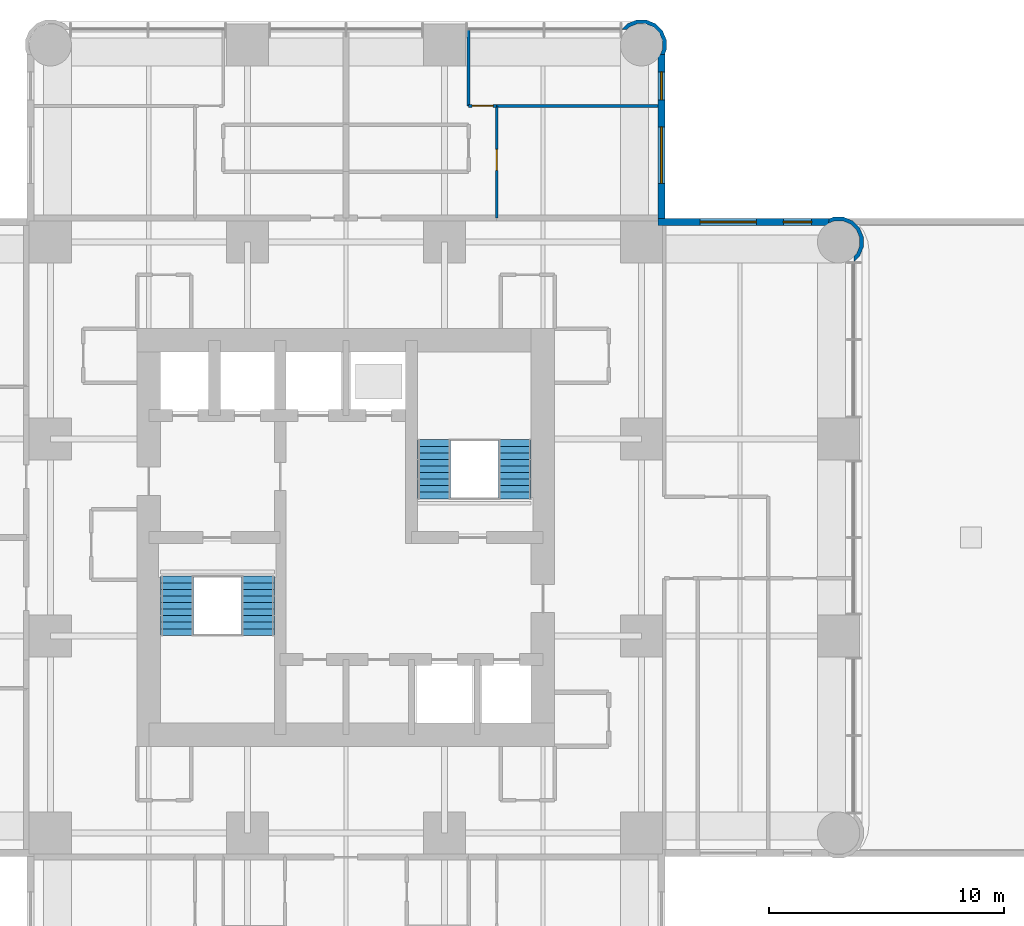
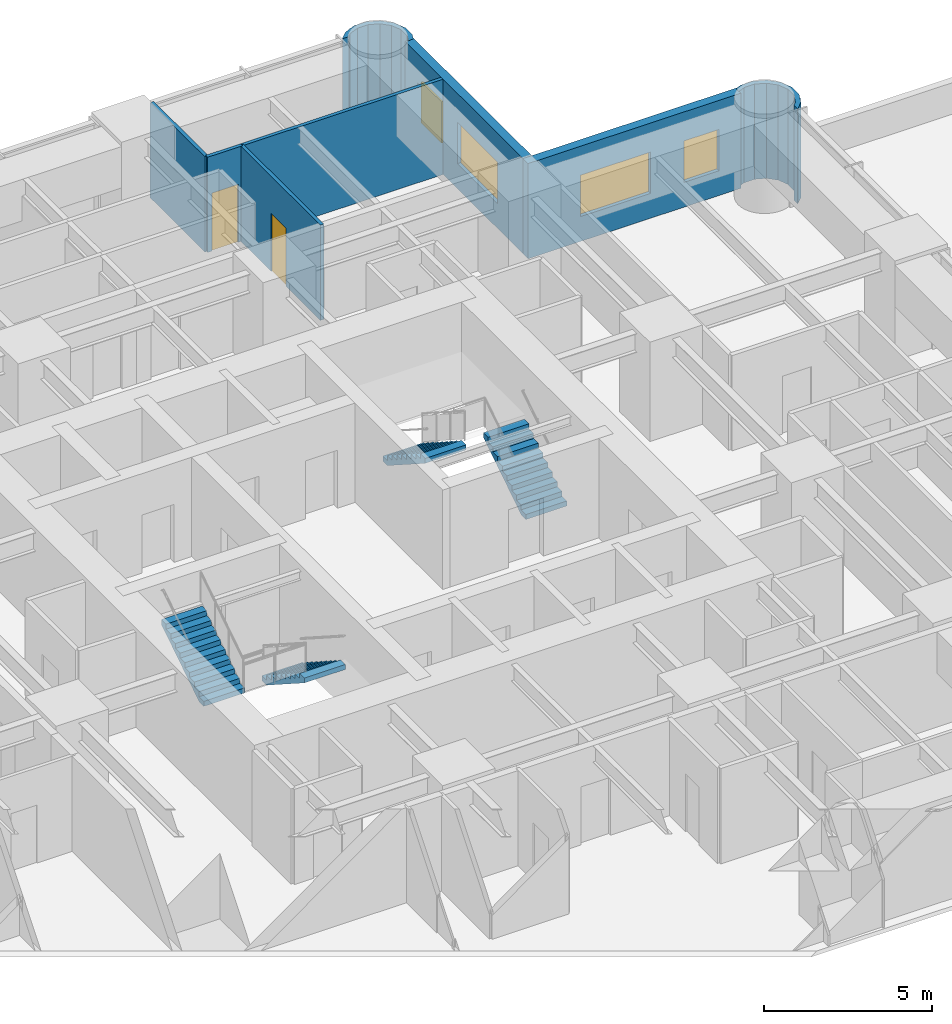
# One storey, part 10 of 12: 8 walls, 4 stair flights, 4 windows, 2 doors, 6 openings, 2 elements without a shape of their own.
"""IFC4 building model written with IfcOpenShell, lengths in metres."""

from ifc_helpers import new_model, si_unit, direction, frame, frame_2d, origin, place, context, subcontext, project, spatial, polyline, rectangle, outline, extrude, material, layer, layer_set, type_object, element, fill, aggregate, save


model = new_model("IFC4")

# Units and contexts
model_context = context("Model", 3, precision=1e-05, world=origin(), true_north=direction((0.0, 1.0)))
body_context = subcontext(model_context, "Body", "Model", "MODEL_VIEW")
ifc_project = project(units=[si_unit("LENGTHUNIT", "METRE"), si_unit("AREAUNIT", "SQUARE_METRE"), si_unit("VOLUMEUNIT", "CUBIC_METRE"), si_unit("PLANEANGLEUNIT", "RADIAN"), si_unit("MASSUNIT", "GRAM", prefix="KILO")], contexts=[model_context])

# Site, building, storey
site_placement = place(None, origin())
site = spatial("IfcSite", under=ifc_project, at=site_placement, CompositionType="ELEMENT")
building_placement = place(site_placement, origin())
building = spatial("IfcBuilding", under=site, at=building_placement, Name="Torre Alcanfor", CompositionType="ELEMENT")
storey_placement = place(building_placement, frame((0.0, 0.0, 183.300048828125)))
storey = spatial("IfcBuildingStorey", under=building, at=storey_placement, Name="L47", CompositionType="ELEMENT", Elevation=183.300048828125)

# Wall, opening, door
ifc_material_1 = material(Name="Gypsum board on steel studs", Category="steel")
ifc_layer_1 = layer(ifc_material_1, 0.1201171875)
ifc_layer_set_1 = layer_set([ifc_layer_1], Name="Apartment partition 120")
wall_type_1 = type_object("IfcWallType", Name="Apartment partition 120", PredefinedType="PARTITIONING", material=ifc_layer_set_1)
wall_1_placement = place(storey_placement, frame((35.8291015625, 47.800048828125, 0.0), z_axis=(0.0, 0.0, 1.0), x_axis=(0.0, -1.0, 0.0)))
wall_1 = element("IfcWall", 1, at=wall_1_placement, inside=storey, type_object=wall_type_1, Name="Partition L47-N2-LIVING / L47-N2-BED2", PredefinedType="PARTITIONING", context=body_context, shape_type="SweptSolid", body=[
    extrude(rectangle(XDim=4.775146484375, YDim=0.1201171875, at=frame_2d((2.3876953125, 0.0))), origin(), (0.0, 0.0, 1.0), 3.449951171875),
])
opening_1_placement = place(wall_1_placement, frame((1.85009765625, 0.0, 0.0)))
opening_1 = element("IfcOpeningElement", 2, at=opening_1_placement, cuts=wall_1, Name="Opening D-R1", PredefinedType="OPENING", context=body_context, shape_type="SweptSolid", body=[
    extrude(rectangle(XDim=0.89990234375, YDim=2.10009765625, at=frame_2d((0.449951171875, 1.050048828125))), frame((0.0, 0.070068359375, 0.0), z_axis=(0.0, -1.0, 0.0), x_axis=(1.0, 0.0, 0.0)), (0.0, 0.0, 1.0), 0.14013671875),
])
ifc_material_2 = material(Name="Timber", Category="wood")
door_type = type_object("IfcDoorType", Name="Internal door 900x2100", OperationType="SINGLE_SWING_LEFT", PredefinedType="DOOR", material=ifc_material_2)
door_1_placement = place(opening_1_placement, origin())
door_1 = element("IfcDoor", 3, at=door_1_placement, inside=storey, type_object=door_type, Name="Door L47-N2 bed2", OperationType="SINGLE_SWING_LEFT", OverallHeight=2.10009765625, OverallWidth=0.89990234375, PredefinedType="DOOR", context=body_context, shape_type="SweptSolid", body=[
    extrude(rectangle(XDim=0.89990234375, YDim=2.10009765625, at=frame_2d((0.449951171875, 1.050048828125))), frame((0.0, 0.02490234375, 0.0), z_axis=(0.0, -1.0, 0.0), x_axis=(1.0, 0.0, 0.0)), (0.0, 0.0, 1.0), 0.050048828125),
])
fill(opening_1, door_1)

# Wall
wall_2_placement = place(storey_placement, frame((34.62890625, 51.050048828125, 0.0), z_axis=(0.0, 0.0, 1.0), x_axis=(0.0, -1.0, 0.0)))
element("IfcWall", 4, at=wall_2_placement, inside=storey, type_object=wall_type_1, Name="Partition L47-N2-LIVING / L47-N2-MASTER", PredefinedType="PARTITIONING", context=body_context, shape_type="SweptSolid", body=[
    extrude(rectangle(XDim=3.25, YDim=0.1201171875, at=frame_2d((1.625, 0.0))), origin(), (0.0, 0.0, 1.0), 3.449951171875),
])

# Wall, opening, door
wall_3_placement = place(storey_placement, frame((34.62890625, 47.800048828125, 0.0), z_axis=(0.0, 0.0, 1.0), x_axis=(1.0, 0.0, 0.0)))
wall_3 = element("IfcWall", 5, at=wall_3_placement, inside=storey, type_object=wall_type_1, Name="Partition L47-N2-LIVING / L47-N2-MASTER", PredefinedType="PARTITIONING", context=body_context, shape_type="SweptSolid", body=[
    extrude(rectangle(XDim=1.2001953125, YDim=0.1201171875, at=frame_2d((0.60009765625, 0.0))), origin(), (0.0, 0.0, 1.0), 3.449951171875),
])
opening_2_placement = place(wall_3_placement, frame((0.15087890625, 0.0, 0.0)))
opening_2 = element("IfcOpeningElement", 6, at=opening_2_placement, cuts=wall_3, Name="Opening D-R1", PredefinedType="OPENING", context=body_context, shape_type="SweptSolid", body=[
    extrude(rectangle(XDim=0.89990234375, YDim=2.10009765625, at=frame_2d((0.449951171875, 1.050048828125))), frame((0.0, 0.070068359375, 0.0), z_axis=(0.0, -1.0, 0.0), x_axis=(1.0, 0.0, 0.0)), (0.0, 0.0, 1.0), 0.14013671875),
])
door_2_placement = place(opening_2_placement, origin())
door_2 = element("IfcDoor", 7, at=door_2_placement, inside=storey, type_object=door_type, Name="Door L47-N2 master", OperationType="SINGLE_SWING_LEFT", OverallHeight=2.10009765625, OverallWidth=0.89990234375, PredefinedType="DOOR", context=body_context, shape_type="SweptSolid", body=[
    extrude(rectangle(XDim=0.89990234375, YDim=2.10009765625, at=frame_2d((0.449951171875, 1.050048828125))), frame((0.0, 0.02490234375, 0.0), z_axis=(0.0, -1.0, 0.0), x_axis=(1.0, 0.0, 0.0)), (0.0, 0.0, 1.0), 0.050048828125),
])
fill(opening_2, door_2)

# Wall
wall_4_placement = place(storey_placement, frame((35.8291015625, 47.800048828125, 0.0), z_axis=(0.0, 0.0, 1.0), x_axis=(1.0, 0.0, 0.0)))
element("IfcWall", 8, at=wall_4_placement, inside=storey, type_object=wall_type_1, Name="Partition L47-N2-BED2 / L47-N2-MASTER", PredefinedType="PARTITIONING", context=body_context, shape_type="SweptSolid", body=[
    extrude(rectangle(XDim=6.870849609375, YDim=0.1201171875, at=frame_2d((3.435546875, 0.0))), origin(), (0.0, 0.0, 1.0), 3.449951171875),
])

# Wall, openings, windows
ifc_material_3 = material(Name="Limestone cladding", Category="masonry")
ifc_layer_2 = layer(ifc_material_3, 0.0400390625, Name="Facing")
ifc_material_4 = material(Name="Ventilated air cavity")
ifc_layer_3 = layer(ifc_material_4, 0.02001953125, ventilated=True, Name="Ventilated joint")
ifc_material_5 = material(Name="Mineral wool insulation", Category="insulation")
ifc_layer_4 = layer(ifc_material_5, 0.10009765625, Name="Insulation")
ifc_material_6 = material(Name="Concrete f'c 35 MPa", Category="concrete")
ifc_layer_5 = layer(ifc_material_6, 0.139892578125, Name="Backing")
ifc_layer_set_2 = layer_set([ifc_layer_2, ifc_layer_3, ifc_layer_4, ifc_layer_5], Name="External wall stone-clad 300")
wall_type_2 = type_object("IfcWallType", Name="External wall stone-clad 300", PredefinedType="SOLIDWALL", material=ifc_layer_set_2)
wall_5_placement = place(storey_placement, frame((50.0, 42.85009765625, 0.0), z_axis=(0.0, 0.0, 1.0), x_axis=(-1.0, 0.0, 0.0)))
wall_5 = element("IfcWall", 9, at=wall_5_placement, inside=storey, type_object=wall_type_2, Name="External wall L47 9", PredefinedType="SOLIDWALL", context=body_context, shape_type="SweptSolid", body=[
    extrude(rectangle(XDim=7.300048828125, YDim=0.300048828125, at=frame_2d((3.64990234375, 0.0))), origin(), (0.0, 0.0, 1.0), 3.449951171875),
])
opening_3_placement = place(wall_5_placement, frame((3.10009765625, 0.0, 0.89990234375)))
opening_3 = element("IfcOpeningElement", 10, at=opening_3_placement, cuts=wall_5, Name="Opening W1", PredefinedType="OPENING", context=body_context, shape_type="SweptSolid", body=[
    extrude(rectangle(XDim=2.39990234375, YDim=1.5, at=frame_2d((1.199951171875, 0.75))), frame((0.0, 0.159912109375, 0.0), z_axis=(0.0, -1.0, 0.0), x_axis=(1.0, 0.0, 0.0)), (0.0, 0.0, 1.0), 0.320068359375),
])
opening_4_placement = place(wall_5_placement, frame((0.75, 0.0, 0.89990234375)))
opening_4 = element("IfcOpeningElement", 11, at=opening_4_placement, cuts=wall_5, Name="Opening W4", PredefinedType="OPENING", context=body_context, shape_type="SweptSolid", body=[
    extrude(rectangle(XDim=1.199951171875, YDim=1.5, at=frame_2d((0.60009765625, 0.75))), frame((0.0, 0.159912109375, 0.0), z_axis=(0.0, -1.0, 0.0), x_axis=(1.0, 0.0, 0.0)), (0.0, 0.0, 1.0), 0.320068359375),
])
ifc_material_7 = material(Name="Aluminium frame with clear double glazing", Category="aluminium")
window_type_1 = type_object("IfcWindowType", Name="Window bedroom 1200x1500", PartitioningType="SINGLE_PANEL", PredefinedType="WINDOW", material=ifc_material_7)
window_1_placement = place(opening_4_placement, origin())
window_1 = element("IfcWindow", 12, at=window_1_placement, inside=storey, type_object=window_type_1, Name="Window W4 L47-E1", OverallHeight=1.5, OverallWidth=1.199951171875, PartitioningType="SINGLE_PANEL", PredefinedType="WINDOW", context=body_context, shape_type="SweptSolid", body=[
    extrude(rectangle(XDim=1.199951171875, YDim=1.5, at=frame_2d((0.60009765625, 0.75))), frame((0.0, 0.030029296875, 0.0), z_axis=(0.0, -1.0, 0.0), x_axis=(1.0, 0.0, 0.0)), (0.0, 0.0, 1.0), 0.06005859375),
])
fill(opening_4, window_1)
ifc_material_8 = material(Name="Aluminium frame with clear double glazing", Category="aluminium")
window_type_2 = type_object("IfcWindowType", Name="Window bedroom 2400x1500", PartitioningType="SINGLE_PANEL", PredefinedType="WINDOW", material=ifc_material_8)
window_2_placement = place(opening_3_placement, origin())
window_2 = element("IfcWindow", 13, at=window_2_placement, inside=storey, type_object=window_type_2, Name="Window W1 L47-E1", OverallHeight=1.5, OverallWidth=2.39990234375, PartitioningType="SINGLE_PANEL", PredefinedType="WINDOW", context=body_context, shape_type="SweptSolid", body=[
    extrude(rectangle(XDim=2.39990234375, YDim=1.5, at=frame_2d((1.199951171875, 0.75))), frame((0.0, 0.030029296875, 0.0), z_axis=(0.0, -1.0, 0.0), x_axis=(1.0, 0.0, 0.0)), (0.0, 0.0, 1.0), 0.06005859375),
])
fill(opening_3, window_2)

wall_6_placement = place(storey_placement, frame((42.85009765625, 43.0, 0.0), z_axis=(0.0, 0.0, 1.0), x_axis=(0.0, 1.0, 0.0)))
wall_6 = element("IfcWall", 14, at=wall_6_placement, inside=storey, type_object=wall_type_2, Name="External wall L47 10", PredefinedType="SOLIDWALL", context=body_context, shape_type="SweptSolid", body=[
    extrude(rectangle(XDim=7.0, YDim=0.300048828125, at=frame_2d((3.5, 0.0))), origin(), (0.0, 0.0, 1.0), 3.449951171875),
])
opening_5_placement = place(wall_6_placement, frame((1.5, 0.0, 0.89990234375)))
opening_5 = element("IfcOpeningElement", 15, at=opening_5_placement, cuts=wall_6, Name="Opening W1", PredefinedType="OPENING", context=body_context, shape_type="SweptSolid", body=[
    extrude(rectangle(XDim=2.39990234375, YDim=1.5, at=frame_2d((1.199951171875, 0.75))), frame((0.0, 0.159912109375, 0.0), z_axis=(0.0, -1.0, 0.0), x_axis=(1.0, 0.0, 0.0)), (0.0, 0.0, 1.0), 0.320068359375),
])
opening_6_placement = place(wall_6_placement, frame((5.050048828125, 0.0, 0.89990234375)))
opening_6 = element("IfcOpeningElement", 16, at=opening_6_placement, cuts=wall_6, Name="Opening W4", PredefinedType="OPENING", context=body_context, shape_type="SweptSolid", body=[
    extrude(rectangle(XDim=1.199951171875, YDim=1.5, at=frame_2d((0.60009765625, 0.75))), frame((0.0, 0.159912109375, 0.0), z_axis=(0.0, -1.0, 0.0), x_axis=(1.0, 0.0, 0.0)), (0.0, 0.0, 1.0), 0.320068359375),
])
window_3_placement = place(opening_6_placement, origin())
window_3 = element("IfcWindow", 17, at=window_3_placement, inside=storey, type_object=window_type_1, Name="Window W4 L47-N2", OverallHeight=1.5, OverallWidth=1.199951171875, PartitioningType="SINGLE_PANEL", PredefinedType="WINDOW", context=body_context, shape_type="SweptSolid", body=[
    extrude(rectangle(XDim=1.199951171875, YDim=1.5, at=frame_2d((0.60009765625, 0.75))), frame((0.0, 0.030029296875, 0.0), z_axis=(0.0, -1.0, 0.0), x_axis=(1.0, 0.0, 0.0)), (0.0, 0.0, 1.0), 0.06005859375),
])
fill(opening_6, window_3)
window_4_placement = place(opening_5_placement, origin())
window_4 = element("IfcWindow", 18, at=window_4_placement, inside=storey, type_object=window_type_2, Name="Window W1 L47-N2", OverallHeight=1.5, OverallWidth=2.39990234375, PartitioningType="SINGLE_PANEL", PredefinedType="WINDOW", context=body_context, shape_type="SweptSolid", body=[
    extrude(rectangle(XDim=2.39990234375, YDim=1.5, at=frame_2d((1.199951171875, 0.75))), frame((0.0, 0.030029296875, 0.0), z_axis=(0.0, -1.0, 0.0), x_axis=(1.0, 0.0, 0.0)), (0.0, 0.0, 1.0), 0.06005859375),
])
fill(opening_5, window_4)

# Walls
ifc_layer_6 = layer(ifc_material_3, 0.0400390625, Name="Facing")
ifc_layer_7 = layer(ifc_material_4, 0.02001953125, ventilated=True, Name="Ventilated joint")
ifc_layer_8 = layer(ifc_material_5, 0.10009765625, Name="Insulation")
ifc_layer_9 = layer(ifc_material_6, 0.139892578125, Name="Backing")
ifc_layer_set_3 = layer_set([ifc_layer_6, ifc_layer_7, ifc_layer_8, ifc_layer_9], Name="Rounded corner pier stone-clad 300")
wall_type_3 = type_object("IfcWallType", Name="Rounded corner pier stone-clad 300", PredefinedType="SOLIDWALL", material=ifc_layer_set_3)
wall_7_placement = place(storey_placement, frame((51.010519256, 41.23340608, 0.0), z_axis=(0.0, 0.0, 1.0), x_axis=(0.926129809145, 0.377204953059, 0.0)))
element("IfcWall", 19, at=wall_7_placement, inside=storey, type_object=wall_type_3, Name="Corner pier L47 18", PredefinedType="SOLIDWALL", context=body_context, shape_type="SweptSolid", body=[
    extrude(outline(polyline([(0.6259297835856951, 0.34530445174236885), (0.7848789410515594, 0.7355632531546925), (0.7824002548302231, 1.1573004722387046), (0.6188602049454254, 1.5460450704957613), (0.3188673579181182, 1.8424783978706545), (-0.07161754940464127, 2.0015196463895117), (-0.23995905234243875, 2.0004896867909614), (-0.2695040290287163, 2.017268158491837), (-0.3701246919854262, 1.840768707158472), (-0.10249325350982896, 1.842218846949227), (0.22943022301003846, 1.7070291811555487), (0.48459286274246793, 1.4552162064895626), (0.6237002847682065, 1.1249277584504207), (0.6258042475217105, 0.7663468662068872), (0.49061458172803213, 0.43442338968701977), (0.23857550115161047, 0.17935284100758325), (0.09029571619376828, 0.11690191743918811), (0.011005319566822026, -0.07777527144610194), (0.024571674192974645, -0.08330073462568008), (0.329496456210802, 0.04531160471506171), (0.48006179504156143, 0.19751479836248448), (0.49893716354891837, 0.1927267701908346), (0.5074837314211094, 0.22536091887442314), (0.6259297835856951, 0.34530445174236885)])), origin(), (0.0, 0.0, 1.0), 3.449951171875),
])
wall_8_placement = place(storey_placement, frame((42.909907157, 50.036037137, 0.0), z_axis=(0.0, 0.0, 1.0), x_axis=(0.377204953059, 0.926129809145, 0.0)))
element("IfcWall", 20, at=wall_8_placement, inside=storey, type_object=wall_type_3, Name="Corner pier L47 19", PredefinedType="SOLIDWALL", context=body_context, shape_type="SweptSolid", body=[
    extrude(outline(polyline([(0.7690495923804641, 1.727510334237576), (0.7501742238731071, 1.7227223060659262), (0.5996088850423476, 1.8749254997133489), (0.2946841030245203, 2.0035378390540908), (0.2811177483983677, 1.9980123758745125), (0.36040814502531393, 1.8033351869892225), (0.5086879299831563, 1.7408842634208272), (0.7607270105595778, 1.4858137147413908), (0.8959166763532561, 1.1538902382215235), (0.8938127135997522, 0.79530934597799), (0.7547052915740137, 0.4650208979388479), (0.4995426518415842, 0.21320792327286212), (0.1676191753217168, 0.07801825747918373), (-0.10001226315388055, 0.07946839726993866), (0.0006083998028294027, -0.09703105406342623), (0.03015337648910698, -0.08025258236255073), (0.19849487942690439, -0.08128254196110103), (0.5889797867496639, 0.0777587065577563), (0.8889726337769711, 0.3741920339326494), (1.0525126836617686, 0.7629366321897061), (1.054991369883105, 1.1846738512737183), (0.8960422124172407, 1.5749326526860419), (0.7775961602526551, 1.6948761855539876), (0.7690495923804641, 1.727510334237576)])), origin(), (0.0, 0.0, 1.0), 3.449951171875),
])

# Stair, stair flights
ifc_material_9 = material(Name="Concrete f'c 35 MPa", Category="concrete")
stair_type_1 = type_object("IfcStairType", Name="Exit stair S1 1400 wide", PredefinedType="HALF_TURN_STAIR", material=ifc_material_9)
stair_1_placement = place(storey_placement, origin())
stair_1 = element("IfcStair", 21, at=stair_1_placement, inside=storey, type_object=stair_type_1, Name="Stair S1 L47 to L48", PredefinedType="HALF_TURN_STAIR")
ifc_material_10 = material(Name="Concrete f'c 35 MPa", Category="concrete")
stair_flight_type = type_object("IfcStairFlightType", Name="Stair flight 1400", PredefinedType="STRAIGHT", material=ifc_material_10)
stair_flight_1_placement = place(storey_placement, frame((25.64990234375, 27.75, 0.0), z_axis=(0.0, 0.0, 1.0), x_axis=(0.0, -1.0, 0.0)))
stair_flight_1 = element("IfcStairFlight", 22, at=stair_flight_1_placement, type_object=stair_flight_type, Name="S1 flight 1", NumberOfRisers=10, NumberOfTreads=9, PredefinedType="STRAIGHT", RiserHeight=0.18, TreadLength=0.28, context=body_context, shape_type="SweptSolid", body=[
    extrude(outline(polyline([(0.0, 0.0), (0.0, 0.179931640625), (0.280029296875, 0.179931640625), (0.280029296875, 0.360107421875), (0.56005859375, 0.360107421875), (0.56005859375, 0.5400390625), (0.840087890625, 0.5400390625), (0.840087890625, 0.719970703125), (1.1201171875, 0.719970703125), (1.1201171875, 0.89990234375), (1.39990234375, 0.89990234375), (1.39990234375, 1.080078125), (1.679931640625, 1.080078125), (1.679931640625, 1.260009765625), (1.9599609375, 1.260009765625), (1.9599609375, 1.43994140625), (2.239990234375, 1.43994140625), (2.239990234375, 1.6201171875), (2.52001953125, 1.6201171875), (2.52001953125, 1.800048828125), (2.52001953125, 1.44189453125), (0.277099609375, 0.0), (0.0, 0.0)])), frame((0.0, 0.699951171875, 0.0), z_axis=(0.0, -1.0, 0.0), x_axis=(1.0, 0.0, 0.0)), (0.0, 0.0, 1.0), 1.39990234375),
])
stair_flight_2_placement = place(storey_placement, frame((22.199951171875, 25.22998046875, 1.800048828125), z_axis=(0.0, 0.0, 1.0), x_axis=(0.0, 1.0, 0.0)))
stair_flight_2 = element("IfcStairFlight", 23, at=stair_flight_2_placement, type_object=stair_flight_type, Name="S1 flight 2", NumberOfRisers=10, NumberOfTreads=9, PredefinedType="STRAIGHT", RiserHeight=0.18, TreadLength=0.28, context=body_context, shape_type="SweptSolid", body=[
    extrude(outline(polyline([(0.0, 0.0), (0.0, 0.179931640625), (0.280029296875, 0.179931640625), (0.280029296875, 0.360107421875), (0.56005859375, 0.360107421875), (0.56005859375, 0.5400390625), (0.840087890625, 0.5400390625), (0.840087890625, 0.719970703125), (1.1201171875, 0.719970703125), (1.1201171875, 0.89990234375), (1.39990234375, 0.89990234375), (1.39990234375, 1.080078125), (1.679931640625, 1.080078125), (1.679931640625, 1.260009765625), (1.9599609375, 1.260009765625), (1.9599609375, 1.43994140625), (2.239990234375, 1.43994140625), (2.239990234375, 1.6201171875), (2.52001953125, 1.6201171875), (2.52001953125, 1.800048828125), (2.52001953125, 1.44189453125), (0.277099609375, 0.0), (0.0, 0.0)])), frame((0.0, 0.699951171875, 0.0), z_axis=(0.0, -1.0, 0.0), x_axis=(1.0, 0.0, 0.0)), (0.0, 0.0, 1.0), 1.39990234375),
])
aggregate(stair_1, [stair_flight_1, stair_flight_2])

ifc_material_11 = material(Name="Concrete f'c 35 MPa", Category="concrete")
stair_type_2 = type_object("IfcStairType", Name="Exit stair S2 1400 wide", PredefinedType="HALF_TURN_STAIR", material=ifc_material_11)
stair_2_placement = place(storey_placement, origin())
stair_2 = element("IfcStair", 24, at=stair_2_placement, inside=storey, type_object=stair_type_2, Name="Stair S2 L47 to L48", PredefinedType="HALF_TURN_STAIR")
stair_flight_3_placement = place(storey_placement, frame((36.60009765625, 31.050048828125, 0.0), z_axis=(0.0, 0.0, 1.0), x_axis=(0.0, 1.0, 0.0)))
stair_flight_3 = element("IfcStairFlight", 25, at=stair_flight_3_placement, type_object=stair_flight_type, Name="S2 flight 1", NumberOfRisers=10, NumberOfTreads=9, PredefinedType="STRAIGHT", RiserHeight=0.18, TreadLength=0.28, context=body_context, shape_type="SweptSolid", body=[
    extrude(outline(polyline([(0.0, 0.0), (0.0, 0.179931640625), (0.280029296875, 0.179931640625), (0.280029296875, 0.360107421875), (0.56005859375, 0.360107421875), (0.56005859375, 0.5400390625), (0.840087890625, 0.5400390625), (0.840087890625, 0.719970703125), (1.1201171875, 0.719970703125), (1.1201171875, 0.89990234375), (1.39990234375, 0.89990234375), (1.39990234375, 1.080078125), (1.679931640625, 1.080078125), (1.679931640625, 1.260009765625), (1.9599609375, 1.260009765625), (1.9599609375, 1.43994140625), (2.239990234375, 1.43994140625), (2.239990234375, 1.6201171875), (2.52001953125, 1.6201171875), (2.52001953125, 1.800048828125), (2.52001953125, 1.44189453125), (0.277099609375, 0.0), (0.0, 0.0)])), frame((0.0, 0.699951171875, 0.0), z_axis=(0.0, -1.0, 0.0), x_axis=(1.0, 0.0, 0.0)), (0.0, 0.0, 1.0), 1.39990234375),
])
stair_flight_4_placement = place(storey_placement, frame((33.14990234375, 33.570068359375, 1.800048828125), z_axis=(0.0, 0.0, 1.0), x_axis=(0.0, -1.0, 0.0)))
stair_flight_4 = element("IfcStairFlight", 26, at=stair_flight_4_placement, type_object=stair_flight_type, Name="S2 flight 2", NumberOfRisers=10, NumberOfTreads=9, PredefinedType="STRAIGHT", RiserHeight=0.18, TreadLength=0.28, context=body_context, shape_type="SweptSolid", body=[
    extrude(outline(polyline([(0.0, 0.0), (0.0, 0.179931640625), (0.280029296875, 0.179931640625), (0.280029296875, 0.360107421875), (0.56005859375, 0.360107421875), (0.56005859375, 0.5400390625), (0.840087890625, 0.5400390625), (0.840087890625, 0.719970703125), (1.1201171875, 0.719970703125), (1.1201171875, 0.89990234375), (1.39990234375, 0.89990234375), (1.39990234375, 1.080078125), (1.679931640625, 1.080078125), (1.679931640625, 1.260009765625), (1.9599609375, 1.260009765625), (1.9599609375, 1.43994140625), (2.239990234375, 1.43994140625), (2.239990234375, 1.6201171875), (2.52001953125, 1.6201171875), (2.52001953125, 1.800048828125), (2.52001953125, 1.44189453125), (0.277099609375, 0.0), (0.0, 0.0)])), frame((0.0, 0.699951171875, 0.0), z_axis=(0.0, -1.0, 0.0), x_axis=(1.0, 0.0, 0.0)), (0.0, 0.0, 1.0), 1.39990234375),
])
aggregate(stair_2, [stair_flight_3, stair_flight_4])

save(model, "model.ifc")
